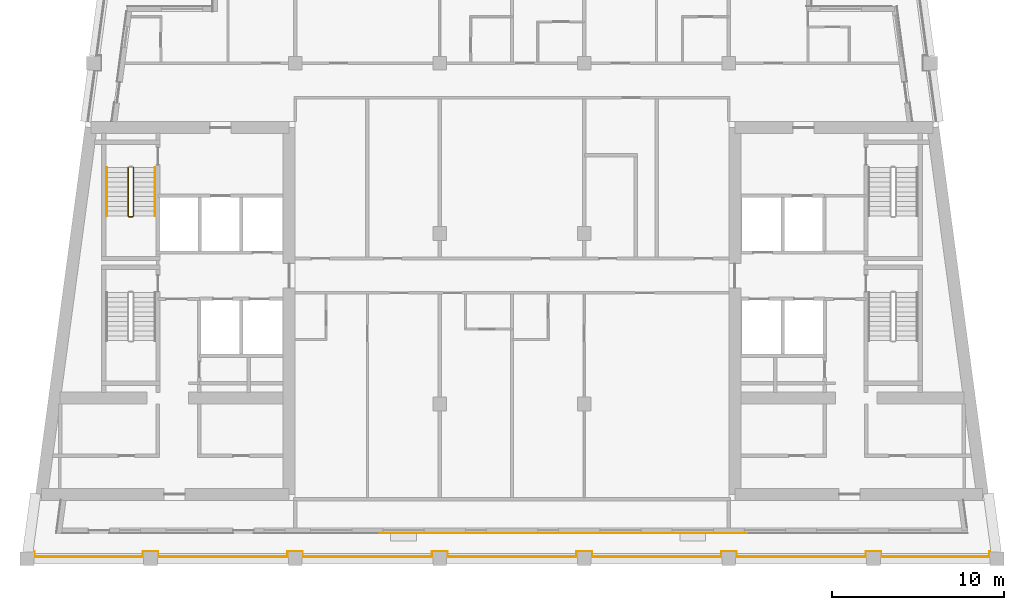
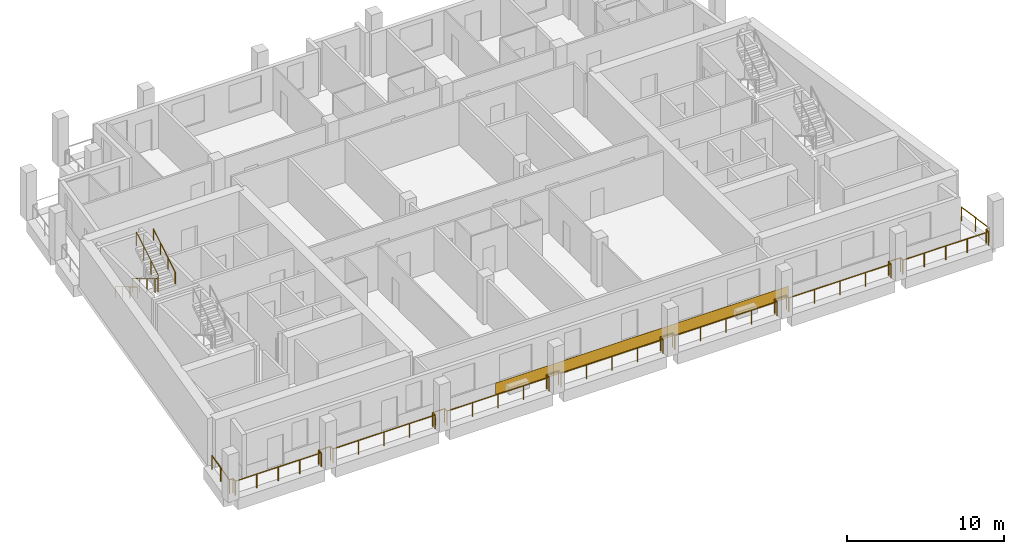
# One storey, part 9 of 13: 4 railings, 1 covering.
"""IFC4 building model written with IfcOpenShell, lengths in metres."""

from ifc_helpers import new_model, si_unit, direction, frame, origin, origin_2d, place, context, subcontext, project, spatial, rectangle, circle, extrude, material, layer, layer_set, type_object, element, save


model = new_model("IFC4")

# Units and contexts
model_context = context("Model", 3, precision=1e-05, world=origin(), true_north=direction((0.0, 1.0)))
body_context = subcontext(model_context, "Body", "Model", "MODEL_VIEW")
ifc_project = project(units=[si_unit("LENGTHUNIT", "METRE"), si_unit("AREAUNIT", "SQUARE_METRE"), si_unit("VOLUMEUNIT", "CUBIC_METRE"), si_unit("PLANEANGLEUNIT", "RADIAN"), si_unit("MASSUNIT", "GRAM", prefix="KILO")], contexts=[model_context])

# Site, building, storey
site_placement = place(None, origin())
site = spatial("IfcSite", under=ifc_project, at=site_placement, CompositionType="ELEMENT")
building_placement = place(site_placement, origin())
building = spatial("IfcBuilding", under=site, at=building_placement, Name="Candeia Pilgrim Tower and Theatre", CompositionType="ELEMENT")
storey_placement = place(building_placement, frame((0.0, 0.0, 262.699951171875)))
storey = spatial("IfcBuildingStorey", under=building, at=storey_placement, Name="L63", CompositionType="ELEMENT", Elevation=262.699951171875)

# Railing
ifc_material_1 = material(Name="Stainless steel balustrade", Category="steel")
railing_type_1 = type_object("IfcRailingType", Name="G1 loggia guard 1100", PredefinedType="GUARDRAIL", material=ifc_material_1)
railing_1_placement = place(storey_placement, frame((141.016357421875, 110.35009765625, 0.0)))
element("IfcRailing", 1, at=railing_1_placement, inside=storey, type_object=railing_type_1, Name="Guard L63.3", PredefinedType="GUARDRAIL", context=body_context, shape_type="SweptSolid", body=[
    extrude(circle(Radius=0.02392578125, at=origin_2d()), frame((0.0, 0.0, 1.076171875), z_axis=(0.133401056725, -0.991062136329, 0.0), x_axis=(0.991062136329, 0.133401056725, 0.0)), (0.0, 0.0, 1.0), 2.946533203125),
    extrude(circle(Radius=0.02392578125, at=origin_2d()), frame((0.39306640625, -2.920166015625, 1.076171875), z_axis=(-1.0, 0.0, 0.0), x_axis=(0.0, -1.0, 0.0)), (0.0, 0.0, 1.0), 0.2509765625),
    extrude(circle(Radius=0.02392578125, at=origin_2d()), frame((0.14208984375, -2.920166015625, 1.076171875), z_axis=(0.0, -1.0, 0.0), x_axis=(1.0, 0.0, 0.0)), (0.0, 0.0, 1.0), 0.309814453125),
    extrude(circle(Radius=0.02392578125, at=origin_2d()), frame((0.14208984375, -3.22998046875, 1.076171875), z_axis=(-1.0, 0.0, 0.0), x_axis=(0.0, -1.0, 0.0)), (0.0, 0.0, 1.0), 6.328369140625),
    extrude(circle(Radius=0.02392578125, at=origin_2d()), frame((-6.186279296875, -3.22998046875, 1.076171875), z_axis=(0.0, 1.0, 0.0), x_axis=(-1.0, 0.0, 0.0)), (0.0, 0.0, 1.0), 0.309814453125),
    extrude(circle(Radius=0.02392578125, at=origin_2d()), frame((-6.186279296875, -2.920166015625, 1.076171875), z_axis=(-1.0, 0.0, 0.0), x_axis=(0.0, -1.0, 0.0)), (0.0, 0.0, 1.0), 0.860107421875),
    extrude(circle(Radius=0.02392578125, at=origin_2d()), frame((-7.04638671875, -2.920166015625, 1.076171875), z_axis=(0.0, -1.0, 0.0), x_axis=(1.0, 0.0, 0.0)), (0.0, 0.0, 1.0), 0.309814453125),
    extrude(circle(Radius=0.02392578125, at=origin_2d()), frame((-7.04638671875, -3.22998046875, 1.076171875), z_axis=(-1.0, 0.0, 0.0), x_axis=(0.0, -1.0, 0.0)), (0.0, 0.0, 1.0), 7.5400390625),
    extrude(circle(Radius=0.02392578125, at=origin_2d()), frame((-14.58642578125, -3.22998046875, 1.076171875), z_axis=(0.0, 1.0, 0.0), x_axis=(-1.0, 0.0, 0.0)), (0.0, 0.0, 1.0), 0.309814453125),
    extrude(circle(Radius=0.02392578125, at=origin_2d()), frame((-14.58642578125, -2.920166015625, 1.076171875), z_axis=(-1.0, 0.0, 0.0), x_axis=(0.0, -1.0, 0.0)), (0.0, 0.0, 1.0), 0.85986328125),
    extrude(circle(Radius=0.02392578125, at=origin_2d()), frame((-15.4462890625, -2.920166015625, 1.076171875), z_axis=(0.0, -1.0, 0.0), x_axis=(1.0, 0.0, 0.0)), (0.0, 0.0, 1.0), 0.309814453125),
    extrude(circle(Radius=0.02392578125, at=origin_2d()), frame((-15.4462890625, -3.22998046875, 1.076171875), z_axis=(-1.0, 0.0, 0.0), x_axis=(0.0, -1.0, 0.0)), (0.0, 0.0, 1.0), 7.5400390625),
    extrude(circle(Radius=0.02392578125, at=origin_2d()), frame((-22.986328125, -3.22998046875, 1.076171875), z_axis=(0.0, 1.0, 0.0), x_axis=(-1.0, 0.0, 0.0)), (0.0, 0.0, 1.0), 0.309814453125),
    extrude(circle(Radius=0.02392578125, at=origin_2d()), frame((-22.986328125, -2.920166015625, 1.076171875), z_axis=(-1.0, 0.0, 0.0), x_axis=(0.0, -1.0, 0.0)), (0.0, 0.0, 1.0), 0.860107421875),
    extrude(circle(Radius=0.02392578125, at=origin_2d()), frame((-23.846435546875, -2.920166015625, 1.076171875), z_axis=(0.0, -1.0, 0.0), x_axis=(1.0, 0.0, 0.0)), (0.0, 0.0, 1.0), 0.309814453125),
    extrude(circle(Radius=0.02392578125, at=origin_2d()), frame((-23.846435546875, -3.22998046875, 1.076171875), z_axis=(-1.0, 0.0, 0.0), x_axis=(0.0, -1.0, 0.0)), (0.0, 0.0, 1.0), 7.5400390625),
    extrude(circle(Radius=0.02392578125, at=origin_2d()), frame((-31.386474609375, -3.22998046875, 1.076171875), z_axis=(0.0, 1.0, 0.0), x_axis=(-1.0, 0.0, 0.0)), (0.0, 0.0, 1.0), 0.309814453125),
    extrude(circle(Radius=0.02392578125, at=origin_2d()), frame((-31.386474609375, -2.920166015625, 1.076171875), z_axis=(-1.0, 0.0, 0.0), x_axis=(0.0, -1.0, 0.0)), (0.0, 0.0, 1.0), 0.85986328125),
    extrude(circle(Radius=0.02392578125, at=origin_2d()), frame((-32.246337890625, -2.920166015625, 1.076171875), z_axis=(0.0, -1.0, 0.0), x_axis=(1.0, 0.0, 0.0)), (0.0, 0.0, 1.0), 0.309814453125),
    extrude(circle(Radius=0.02392578125, at=origin_2d()), frame((-32.246337890625, -3.22998046875, 1.076171875), z_axis=(-1.0, 0.0, 0.0), x_axis=(0.0, -1.0, 0.0)), (0.0, 0.0, 1.0), 7.5400390625),
    extrude(circle(Radius=0.02392578125, at=origin_2d()), frame((-39.786376953125, -3.22998046875, 1.076171875), z_axis=(0.0, 1.0, 0.0), x_axis=(-1.0, 0.0, 0.0)), (0.0, 0.0, 1.0), 0.309814453125),
    extrude(circle(Radius=0.02392578125, at=origin_2d()), frame((-39.786376953125, -2.920166015625, 1.076171875), z_axis=(-1.0, 0.0, 0.0), x_axis=(0.0, -1.0, 0.0)), (0.0, 0.0, 1.0), 0.85986328125),
    extrude(circle(Radius=0.02392578125, at=origin_2d()), frame((-40.646240234375, -2.920166015625, 1.076171875), z_axis=(0.0, -1.0, 0.0), x_axis=(1.0, 0.0, 0.0)), (0.0, 0.0, 1.0), 0.309814453125),
    extrude(circle(Radius=0.02392578125, at=origin_2d()), frame((-40.646240234375, -3.22998046875, 1.076171875), z_axis=(-1.0, 0.0, 0.0), x_axis=(0.0, -1.0, 0.0)), (0.0, 0.0, 1.0), 7.5400390625),
    extrude(circle(Radius=0.02392578125, at=origin_2d()), frame((-48.186279296875, -3.22998046875, 1.076171875), z_axis=(0.0, 1.0, 0.0), x_axis=(-1.0, 0.0, 0.0)), (0.0, 0.0, 1.0), 0.309814453125),
    extrude(circle(Radius=0.02392578125, at=origin_2d()), frame((-48.186279296875, -2.920166015625, 1.076171875), z_axis=(-1.0, 0.0, 0.0), x_axis=(0.0, -1.0, 0.0)), (0.0, 0.0, 1.0), 0.860107421875),
    extrude(circle(Radius=0.02392578125, at=origin_2d()), frame((-49.04638671875, -2.920166015625, 1.076171875), z_axis=(0.0, -1.0, 0.0), x_axis=(1.0, 0.0, 0.0)), (0.0, 0.0, 1.0), 0.309814453125),
    extrude(circle(Radius=0.02392578125, at=origin_2d()), frame((-49.04638671875, -3.22998046875, 1.076171875), z_axis=(-1.0, 0.0, 0.0), x_axis=(0.0, -1.0, 0.0)), (0.0, 0.0, 1.0), 6.328369140625),
    extrude(circle(Radius=0.02392578125, at=origin_2d()), frame((-55.374755859375, -3.22998046875, 1.076171875), z_axis=(0.0, 1.0, 0.0), x_axis=(-1.0, 0.0, 0.0)), (0.0, 0.0, 1.0), 0.309814453125),
    extrude(circle(Radius=0.02392578125, at=origin_2d()), frame((-55.374755859375, -2.920166015625, 1.076171875), z_axis=(-1.0, 0.0, 0.0), x_axis=(0.0, -1.0, 0.0)), (0.0, 0.0, 1.0), 0.2509765625),
    extrude(circle(Radius=0.02392578125, at=origin_2d()), frame((-55.625732421875, -2.920166015625, 1.076171875), z_axis=(0.133401056725, 0.991062136329, 0.0), x_axis=(-0.991062136329, 0.133401056725, 0.0)), (0.0, 0.0, 1.0), 2.946533203125),
    extrude(circle(Radius=0.02099609375, at=origin_2d()), origin(), (0.0, 0.0, 1.0), 1.052001953125),
    extrude(circle(Radius=0.02099609375, at=origin_2d()), frame((0.196533203125, -1.4599609375, 0.0)), (0.0, 0.0, 1.0), 1.052001953125),
    extrude(circle(Radius=0.02099609375, at=origin_2d()), frame((0.39306640625, -2.920166015625, 0.0)), (0.0, 0.0, 1.0), 1.052001953125),
    extrude(circle(Radius=0.02099609375, at=origin_2d()), frame((0.14208984375, -2.920166015625, 0.0)), (0.0, 0.0, 1.0), 1.052001953125),
    extrude(circle(Radius=0.02099609375, at=origin_2d()), frame((0.14208984375, -3.22998046875, 0.0)), (0.0, 0.0, 1.0), 1.052001953125),
    extrude(circle(Radius=0.02099609375, at=origin_2d()), frame((-1.43994140625, -3.22998046875, 0.0)), (0.0, 0.0, 1.0), 1.052001953125),
    extrude(circle(Radius=0.02099609375, at=origin_2d()), frame((-3.02197265625, -3.22998046875, 0.0)), (0.0, 0.0, 1.0), 1.052001953125),
    extrude(circle(Radius=0.02099609375, at=origin_2d()), frame((-4.604248046875, -3.22998046875, 0.0)), (0.0, 0.0, 1.0), 1.052001953125),
    extrude(circle(Radius=0.02099609375, at=origin_2d()), frame((-6.186279296875, -3.22998046875, 0.0)), (0.0, 0.0, 1.0), 1.052001953125),
    extrude(circle(Radius=0.02099609375, at=origin_2d()), frame((-6.186279296875, -2.920166015625, 0.0)), (0.0, 0.0, 1.0), 1.052001953125),
    extrude(circle(Radius=0.02099609375, at=origin_2d()), frame((-7.04638671875, -2.920166015625, 0.0)), (0.0, 0.0, 1.0), 1.052001953125),
    extrude(circle(Radius=0.02099609375, at=origin_2d()), frame((-7.04638671875, -3.22998046875, 0.0)), (0.0, 0.0, 1.0), 1.052001953125),
    extrude(circle(Radius=0.02099609375, at=origin_2d()), frame((-8.931396484375, -3.22998046875, 0.0)), (0.0, 0.0, 1.0), 1.052001953125),
    extrude(circle(Radius=0.02099609375, at=origin_2d()), frame((-10.81640625, -3.22998046875, 0.0)), (0.0, 0.0, 1.0), 1.052001953125),
    extrude(circle(Radius=0.02099609375, at=origin_2d()), frame((-12.701416015625, -3.22998046875, 0.0)), (0.0, 0.0, 1.0), 1.052001953125),
    extrude(circle(Radius=0.02099609375, at=origin_2d()), frame((-14.58642578125, -3.22998046875, 0.0)), (0.0, 0.0, 1.0), 1.052001953125),
    extrude(circle(Radius=0.02099609375, at=origin_2d()), frame((-14.58642578125, -2.920166015625, 0.0)), (0.0, 0.0, 1.0), 1.052001953125),
    extrude(circle(Radius=0.02099609375, at=origin_2d()), frame((-15.4462890625, -2.920166015625, 0.0)), (0.0, 0.0, 1.0), 1.052001953125),
    extrude(circle(Radius=0.02099609375, at=origin_2d()), frame((-15.4462890625, -3.22998046875, 0.0)), (0.0, 0.0, 1.0), 1.052001953125),
    extrude(circle(Radius=0.02099609375, at=origin_2d()), frame((-17.331298828125, -3.22998046875, 0.0)), (0.0, 0.0, 1.0), 1.052001953125),
    extrude(circle(Radius=0.02099609375, at=origin_2d()), frame((-19.21630859375, -3.22998046875, 0.0)), (0.0, 0.0, 1.0), 1.052001953125),
    extrude(circle(Radius=0.02099609375, at=origin_2d()), frame((-21.101318359375, -3.22998046875, 0.0)), (0.0, 0.0, 1.0), 1.052001953125),
    extrude(circle(Radius=0.02099609375, at=origin_2d()), frame((-22.986328125, -3.22998046875, 0.0)), (0.0, 0.0, 1.0), 1.052001953125),
    extrude(circle(Radius=0.02099609375, at=origin_2d()), frame((-22.986328125, -2.920166015625, 0.0)), (0.0, 0.0, 1.0), 1.052001953125),
    extrude(circle(Radius=0.02099609375, at=origin_2d()), frame((-23.846435546875, -2.920166015625, 0.0)), (0.0, 0.0, 1.0), 1.052001953125),
    extrude(circle(Radius=0.02099609375, at=origin_2d()), frame((-23.846435546875, -3.22998046875, 0.0)), (0.0, 0.0, 1.0), 1.052001953125),
    extrude(circle(Radius=0.02099609375, at=origin_2d()), frame((-25.7314453125, -3.22998046875, 0.0)), (0.0, 0.0, 1.0), 1.052001953125),
    extrude(circle(Radius=0.02099609375, at=origin_2d()), frame((-27.616455078125, -3.22998046875, 0.0)), (0.0, 0.0, 1.0), 1.052001953125),
    extrude(circle(Radius=0.02099609375, at=origin_2d()), frame((-29.50146484375, -3.22998046875, 0.0)), (0.0, 0.0, 1.0), 1.052001953125),
    extrude(circle(Radius=0.02099609375, at=origin_2d()), frame((-31.386474609375, -3.22998046875, 0.0)), (0.0, 0.0, 1.0), 1.052001953125),
    extrude(circle(Radius=0.02099609375, at=origin_2d()), frame((-31.386474609375, -2.920166015625, 0.0)), (0.0, 0.0, 1.0), 1.052001953125),
    extrude(circle(Radius=0.02099609375, at=origin_2d()), frame((-32.246337890625, -2.920166015625, 0.0)), (0.0, 0.0, 1.0), 1.052001953125),
    extrude(circle(Radius=0.02099609375, at=origin_2d()), frame((-32.246337890625, -3.22998046875, 0.0)), (0.0, 0.0, 1.0), 1.052001953125),
    extrude(circle(Radius=0.02099609375, at=origin_2d()), frame((-34.13134765625, -3.22998046875, 0.0)), (0.0, 0.0, 1.0), 1.052001953125),
    extrude(circle(Radius=0.02099609375, at=origin_2d()), frame((-36.016357421875, -3.22998046875, 0.0)), (0.0, 0.0, 1.0), 1.052001953125),
    extrude(circle(Radius=0.02099609375, at=origin_2d()), frame((-37.9013671875, -3.22998046875, 0.0)), (0.0, 0.0, 1.0), 1.052001953125),
    extrude(circle(Radius=0.02099609375, at=origin_2d()), frame((-39.786376953125, -3.22998046875, 0.0)), (0.0, 0.0, 1.0), 1.052001953125),
    extrude(circle(Radius=0.02099609375, at=origin_2d()), frame((-39.786376953125, -2.920166015625, 0.0)), (0.0, 0.0, 1.0), 1.052001953125),
    extrude(circle(Radius=0.02099609375, at=origin_2d()), frame((-40.646240234375, -2.920166015625, 0.0)), (0.0, 0.0, 1.0), 1.052001953125),
    extrude(circle(Radius=0.02099609375, at=origin_2d()), frame((-40.646240234375, -3.22998046875, 0.0)), (0.0, 0.0, 1.0), 1.052001953125),
    extrude(circle(Radius=0.02099609375, at=origin_2d()), frame((-42.53125, -3.22998046875, 0.0)), (0.0, 0.0, 1.0), 1.052001953125),
    extrude(circle(Radius=0.02099609375, at=origin_2d()), frame((-44.416259765625, -3.22998046875, 0.0)), (0.0, 0.0, 1.0), 1.052001953125),
    extrude(circle(Radius=0.02099609375, at=origin_2d()), frame((-46.30126953125, -3.22998046875, 0.0)), (0.0, 0.0, 1.0), 1.052001953125),
    extrude(circle(Radius=0.02099609375, at=origin_2d()), frame((-48.186279296875, -3.22998046875, 0.0)), (0.0, 0.0, 1.0), 1.052001953125),
    extrude(circle(Radius=0.02099609375, at=origin_2d()), frame((-48.186279296875, -2.920166015625, 0.0)), (0.0, 0.0, 1.0), 1.052001953125),
    extrude(circle(Radius=0.02099609375, at=origin_2d()), frame((-49.04638671875, -2.920166015625, 0.0)), (0.0, 0.0, 1.0), 1.052001953125),
    extrude(circle(Radius=0.02099609375, at=origin_2d()), frame((-49.04638671875, -3.22998046875, 0.0)), (0.0, 0.0, 1.0), 1.052001953125),
    extrude(circle(Radius=0.02099609375, at=origin_2d()), frame((-50.62841796875, -3.22998046875, 0.0)), (0.0, 0.0, 1.0), 1.052001953125),
    extrude(circle(Radius=0.02099609375, at=origin_2d()), frame((-52.21044921875, -3.22998046875, 0.0)), (0.0, 0.0, 1.0), 1.052001953125),
    extrude(circle(Radius=0.02099609375, at=origin_2d()), frame((-53.792724609375, -3.22998046875, 0.0)), (0.0, 0.0, 1.0), 1.052001953125),
    extrude(circle(Radius=0.02099609375, at=origin_2d()), frame((-55.374755859375, -3.22998046875, 0.0)), (0.0, 0.0, 1.0), 1.052001953125),
    extrude(circle(Radius=0.02099609375, at=origin_2d()), frame((-55.374755859375, -2.920166015625, 0.0)), (0.0, 0.0, 1.0), 1.052001953125),
    extrude(circle(Radius=0.02099609375, at=origin_2d()), frame((-55.625732421875, -2.920166015625, 0.0)), (0.0, 0.0, 1.0), 1.052001953125),
    extrude(circle(Radius=0.02099609375, at=origin_2d()), frame((-55.42919921875, -1.4599609375, 0.0)), (0.0, 0.0, 1.0), 1.052001953125),
    extrude(circle(Radius=0.02099609375, at=origin_2d()), frame((-55.232666015625, 0.0, 0.0)), (0.0, 0.0, 1.0), 1.052001953125),
])

# Covering
ifc_material_2 = material(Name="Glazed ceramic tile rust")
ifc_layer = layer(ifc_material_2, 0.02001953125)
ifc_layer_set = layer_set([ifc_layer], Name="Glazed ceramic tile rust")
covering_type = type_object("IfcCoveringType", Name="Glazed ceramic tile rust", PredefinedType="CLADDING", material=ifc_layer_set)
covering_placement = place(storey_placement, frame((116.39990234375, 108.489990234375, 0.0), z_axis=(0.0, 0.0, 1.0), x_axis=(1.0, 0.0, 0.0)))
element("IfcCovering", 2, at=covering_placement, inside=storey, type_object=covering_type, Name="Tile cladding rust L63", PredefinedType="CLADDING", context=body_context, shape_type="SweptSolid", body=[
    extrude(rectangle(XDim=21.60009765625, YDim=0.02001953125, at=origin_2d()), origin(), (0.0, 0.0, 1.0), 0.89990234375),
])

# Railings
railing_type_2 = type_object("IfcRailingType", Name="RL-GUARD-1100", PredefinedType="GUARDRAIL", material=ifc_material_1)
railing_2_placement = place(storey_placement, frame((91.10205078125, 129.72509765625, 0.168212890625)))
element("IfcRailing", 3, at=railing_2_placement, inside=storey, type_object=railing_type_2, Name="L63 ST2 stair guard 1", PredefinedType="GUARDRAIL", context=body_context, shape_type="SweptSolid", body=[
    extrude(circle(Radius=0.02392578125, at=origin_2d()), frame((0.0, 0.0, 1.076171875), z_axis=(0.0, -0.857242210791, 0.514913383045), x_axis=(1.0, 0.0, 0.0)), (0.0, 0.0, 1.0), 3.266357421875),
    extrude(circle(Radius=0.02392578125, at=origin_2d()), frame((0.0, -2.800048828125, 2.7578125), z_axis=(0.707106781187, -0.707106781187, 0.0), x_axis=(0.707106781187, 0.707106781187, 0.0)), (0.0, 0.0, 1.0), 0.07080078125),
    extrude(circle(Radius=0.02392578125, at=origin_2d()), frame((0.050048828125, -2.85009765625, 2.7578125), z_axis=(1.0, 0.0, 0.0), x_axis=(0.0, 1.0, 0.0)), (0.0, 0.0, 1.0), 0.199951171875),
    extrude(circle(Radius=0.02392578125, at=origin_2d()), frame((0.25, -2.85009765625, 2.7578125), z_axis=(0.274243871929, 0.274243871929, 0.92172696468), x_axis=(-0.707106781187, 0.707106781187, 0.0)), (0.0, 0.0, 1.0), 0.1826171875),
    extrude(circle(Radius=0.02392578125, at=origin_2d()), frame((0.300048828125, -2.800048828125, 2.92626953125), z_axis=(0.0, 0.857275202839, 0.514858452973), x_axis=(-1.0, 0.0, 0.0)), (0.0, 0.0, 1.0), 3.26611328125),
    extrude(circle(Radius=0.02099609375, at=origin_2d()), origin(), (0.0, 0.0, 1.0), 1.052001953125),
    extrude(circle(Radius=0.02099609375, at=origin_2d()), frame((0.0, -0.933349609375, 0.560546875)), (0.0, 0.0, 1.0), 1.052001953125),
    extrude(circle(Radius=0.02099609375, at=origin_2d()), frame((0.0, -1.86669921875, 1.121337890625)), (0.0, 0.0, 1.0), 1.052001953125),
    extrude(circle(Radius=0.02099609375, at=origin_2d()), frame((0.0, -2.800048828125, 1.681884765625)), (0.0, 0.0, 1.0), 1.052001953125),
    extrude(circle(Radius=0.02099609375, at=origin_2d()), frame((0.050048828125, -2.85009765625, 1.681884765625)), (0.0, 0.0, 1.0), 1.052001953125),
    extrude(circle(Radius=0.02099609375, at=origin_2d()), frame((0.25, -2.85009765625, 1.681884765625)), (0.0, 0.0, 1.0), 1.052001953125),
    extrude(circle(Radius=0.02099609375, at=origin_2d()), frame((0.300048828125, -2.800048828125, 1.85009765625)), (0.0, 0.0, 1.0), 1.052001953125),
    extrude(circle(Radius=0.02099609375, at=origin_2d()), frame((0.300048828125, -1.86669921875, 2.41064453125)), (0.0, 0.0, 1.0), 1.052001953125),
    extrude(circle(Radius=0.02099609375, at=origin_2d()), frame((0.300048828125, -0.933349609375, 2.97119140625)), (0.0, 0.0, 1.0), 1.052001953125),
    extrude(circle(Radius=0.02099609375, at=origin_2d()), frame((0.300048828125, 0.0, 3.53173828125)), (0.0, 0.0, 1.0), 1.052001953125),
])
ifc_material_3 = material(Name="Stainless steel handrail", Category="steel")
railing_type_3 = type_object("IfcRailingType", Name="RL-HANDRAIL-900", PredefinedType="HANDRAIL", material=ifc_material_3)
railing_3_placement = place(storey_placement, frame((89.85205078125, 129.72509765625, 0.168212890625)))
element("IfcRailing", 4, at=railing_3_placement, inside=storey, type_object=railing_type_3, Name="L63 ST2 stair handrail 1", PredefinedType="HANDRAIL", context=body_context, shape_type="SweptSolid", body=[
    extrude(circle(Radius=0.02392578125, at=origin_2d()), frame((0.0, 0.0, 0.8759765625), z_axis=(0.0, -0.857242210791, 0.514913383045), x_axis=(1.0, 0.0, 0.0)), (0.0, 0.0, 1.0), 3.266357421875),
    extrude(circle(Radius=0.02099609375, at=origin_2d()), origin(), (0.0, 0.0, 1.0), 0.851806640625),
    extrude(circle(Radius=0.02099609375, at=origin_2d()), frame((0.0, -0.933349609375, 0.560546875)), (0.0, 0.0, 1.0), 0.851806640625),
    extrude(circle(Radius=0.02099609375, at=origin_2d()), frame((0.0, -1.86669921875, 1.121337890625)), (0.0, 0.0, 1.0), 0.851806640625),
    extrude(circle(Radius=0.02099609375, at=origin_2d()), frame((0.0, -2.800048828125, 1.681884765625)), (0.0, 0.0, 1.0), 0.851806640625),
])
railing_4_placement = place(storey_placement, frame((92.652099609375, 126.925048828125, 2.018310546875)))
element("IfcRailing", 5, at=railing_4_placement, inside=storey, type_object=railing_type_3, Name="L63 ST2 stair handrail 2", PredefinedType="HANDRAIL", context=body_context, shape_type="SweptSolid", body=[
    extrude(circle(Radius=0.02392578125, at=origin_2d()), frame((0.0, 0.0, 0.8759765625), z_axis=(0.0, 0.857275202839, 0.514858452973), x_axis=(-1.0, 0.0, 0.0)), (0.0, 0.0, 1.0), 3.26611328125),
    extrude(circle(Radius=0.02099609375, at=origin_2d()), origin(), (0.0, 0.0, 1.0), 0.851806640625),
    extrude(circle(Radius=0.02099609375, at=origin_2d()), frame((0.0, 0.933349609375, 0.560546875)), (0.0, 0.0, 1.0), 0.851806640625),
    extrude(circle(Radius=0.02099609375, at=origin_2d()), frame((0.0, 1.86669921875, 1.12109375)), (0.0, 0.0, 1.0), 0.851806640625),
    extrude(circle(Radius=0.02099609375, at=origin_2d()), frame((0.0, 2.800048828125, 1.681640625)), (0.0, 0.0, 1.0), 0.851806640625),
])

save(model, "model.ifc")
